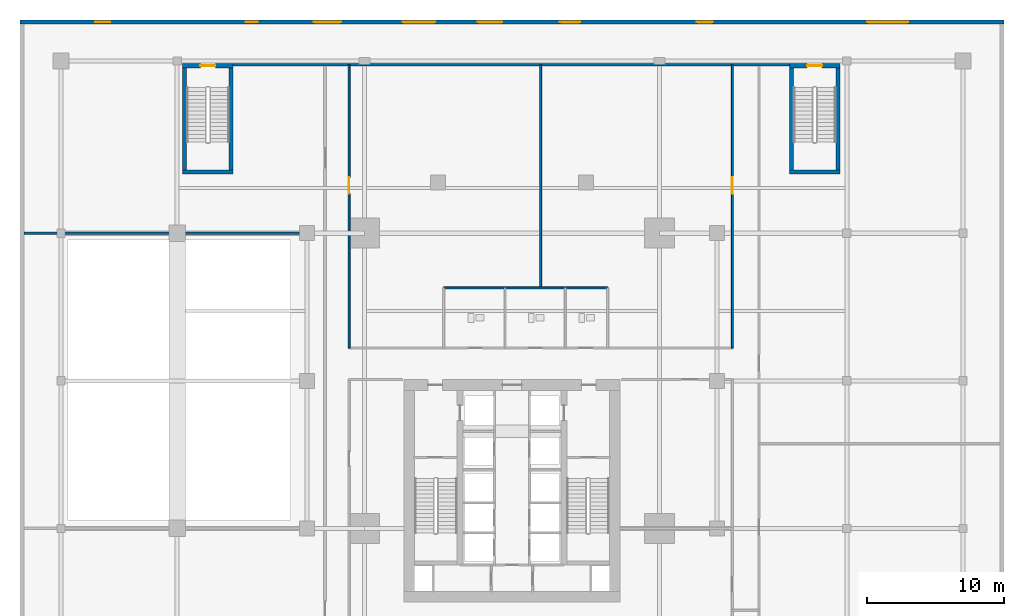
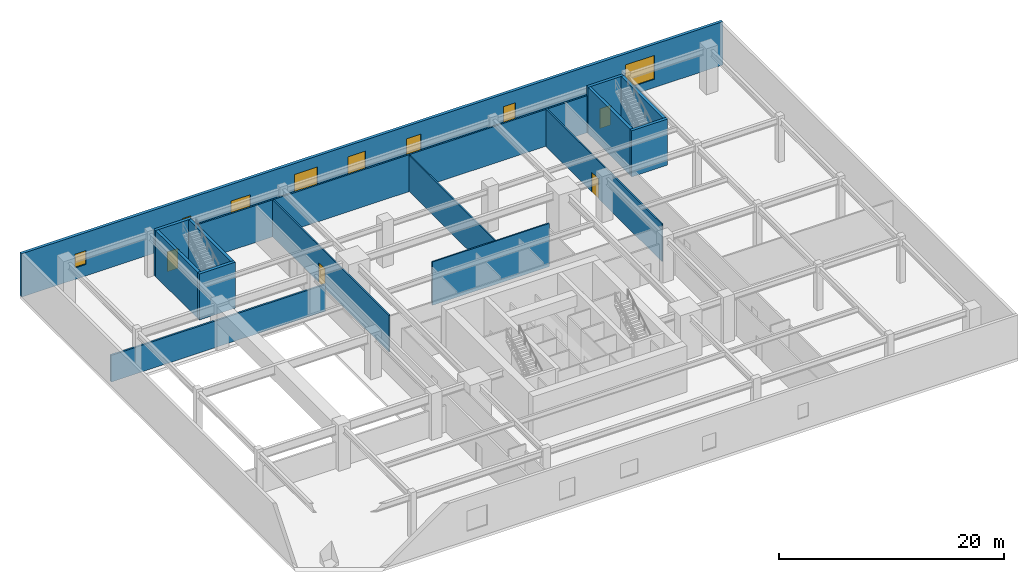
# One storey, part 5 of 9: 15 walls, 8 windows, 4 doors, 12 openings.
"""IFC4 building model written with IfcOpenShell, lengths in metres."""

from ifc_helpers import new_model, si_unit, direction, frame, frame_2d, origin, place, context, subcontext, project, spatial, rectangle, extrude, material, layer, layer_set, type_object, element, fill, save


model = new_model("IFC4")

# Units and contexts
model_context = context("Model", 3, precision=1e-05, world=origin(), true_north=direction((0.0, 1.0)))
body_context = subcontext(model_context, "Body", "Model", "MODEL_VIEW")
ifc_project = project(units=[si_unit("LENGTHUNIT", "METRE"), si_unit("AREAUNIT", "SQUARE_METRE"), si_unit("VOLUMEUNIT", "CUBIC_METRE"), si_unit("PLANEANGLEUNIT", "RADIAN"), si_unit("MASSUNIT", "GRAM", prefix="KILO")], contexts=[model_context])

# Site, building, storey
site_placement = place(None, origin())
site = spatial("IfcSite", under=ifc_project, at=site_placement, CompositionType="ELEMENT")
building_placement = place(site_placement, origin())
building = spatial("IfcBuilding", under=site, at=building_placement, Name="Krantzveldt Concourse Tower", CompositionType="ELEMENT")
storey_placement = place(building_placement, frame((0.0, 0.0, 10.39990234375)))
storey = spatial("IfcBuildingStorey", under=building, at=storey_placement, Name="L02", CompositionType="ELEMENT", Elevation=10.39990234375)

# Wall, openings, windows
ifc_material_1 = material(Name="Concrete C40/50", Category="concrete")
ifc_layer_1 = layer(ifc_material_1, 0.300048828125, Name="Concrete C40/50", Category="concrete")
ifc_layer_set_1 = layer_set([ifc_layer_1], Name="Concrete C40/50 (WL-EXT-GRAN300)")
wall_type_1 = type_object("IfcWallType", Name="WL-EXT-GRAN300", PredefinedType="SOLIDWALL", material=ifc_layer_set_1)
wall_1_placement = place(storey_placement, frame((0.0, 52.949951171875, 0.0), z_axis=(0.0, 0.0, 1.0), x_axis=(1.0, 0.0, 0.0)))
wall_1 = element("IfcWall", 1, at=wall_1_placement, inside=storey, type_object=wall_type_1, Name="EW-L02-N", PredefinedType="SOLIDWALL", context=body_context, shape_type="SweptSolid", body=[
    extrude(rectangle(XDim=72.0, YDim=0.300048828125, at=frame_2d((36.0, 0.0))), origin(), (0.0, 0.0, 1.0), 4.7001953125),
])
opening_1_placement = place(wall_1_placement, frame((5.5, 0.0, 1.25)))
opening_1 = element("IfcOpeningElement", 2, at=opening_1_placement, cuts=wall_1, Name="Opening W-POD-1100x1500", PredefinedType="OPENING", context=body_context, shape_type="SweptSolid", body=[
    extrude(rectangle(XDim=1.10009765625, YDim=1.5, at=frame_2d((0.550048828125, 0.75))), frame((0.0, 0.16015625, 0.0), z_axis=(0.0, -1.0, 0.0), x_axis=(1.0, 0.0, 0.0)), (0.0, 0.0, 1.0), 0.320068359375),
])
opening_2_placement = place(wall_1_placement, frame((16.5, 0.0, 1.25)))
opening_2 = element("IfcOpeningElement", 3, at=opening_2_placement, cuts=wall_1, Name="Opening W-POD-0900x1500", PredefinedType="OPENING", context=body_context, shape_type="SweptSolid", body=[
    extrude(rectangle(XDim=0.89990234375, YDim=1.5, at=frame_2d((0.449951171875, 0.75))), frame((0.0, 0.16015625, 0.0), z_axis=(0.0, -1.0, 0.0), x_axis=(1.0, 0.0, 0.0)), (0.0, 0.0, 1.0), 0.320068359375),
])
opening_3_placement = place(wall_1_placement, frame((21.5, 0.0, 1.10009765625)))
opening_3 = element("IfcOpeningElement", 4, at=opening_3_placement, cuts=wall_1, Name="Opening W-POD-2000x1800", PredefinedType="OPENING", context=body_context, shape_type="SweptSolid", body=[
    extrude(rectangle(XDim=2.0, YDim=1.800048828125, at=frame_2d((1.0, 0.89990234375))), frame((0.0, 0.16015625, 0.0), z_axis=(0.0, -1.0, 0.0), x_axis=(1.0, 0.0, 0.0)), (0.0, 0.0, 1.0), 0.320068359375),
])
opening_4_placement = place(wall_1_placement, frame((28.0, 0.0, 0.89990234375)))
opening_4 = element("IfcOpeningElement", 5, at=opening_4_placement, cuts=wall_1, Name="Opening W-POD-2400x2600", PredefinedType="OPENING", context=body_context, shape_type="SweptSolid", body=[
    extrude(rectangle(XDim=2.39990234375, YDim=2.60009765625, at=frame_2d((1.199951171875, 1.300048828125))), frame((0.0, 0.16015625, 0.0), z_axis=(0.0, -1.0, 0.0), x_axis=(1.0, 0.0, 0.0)), (0.0, 0.0, 1.0), 0.320068359375),
])
opening_5_placement = place(wall_1_placement, frame((33.5, 0.0, 0.89990234375)))
opening_5 = element("IfcOpeningElement", 6, at=opening_5_placement, cuts=wall_1, Name="Opening W-POD-1800x2600", PredefinedType="OPENING", context=body_context, shape_type="SweptSolid", body=[
    extrude(rectangle(XDim=1.800048828125, YDim=2.60009765625, at=frame_2d((0.89990234375, 1.300048828125))), frame((0.0, 0.16015625, 0.0), z_axis=(0.0, -1.0, 0.0), x_axis=(1.0, 0.0, 0.0)), (0.0, 0.0, 1.0), 0.320068359375),
])
opening_6_placement = place(wall_1_placement, frame((39.5, 0.0, 0.949951171875)))
opening_6 = element("IfcOpeningElement", 7, at=opening_6_placement, cuts=wall_1, Name="Opening W-POD-1500x2400", PredefinedType="OPENING", context=body_context, shape_type="SweptSolid", body=[
    extrude(rectangle(XDim=1.5, YDim=2.39990234375, at=frame_2d((0.75, 1.199951171875))), frame((0.0, 0.16015625, 0.0), z_axis=(0.0, -1.0, 0.0), x_axis=(1.0, 0.0, 0.0)), (0.0, 0.0, 1.0), 0.320068359375),
])
opening_7_placement = place(wall_1_placement, frame((49.5, 0.0, 0.949951171875)))
opening_7 = element("IfcOpeningElement", 8, at=opening_7_placement, cuts=wall_1, Name="Opening W-POD-1200x2400", PredefinedType="OPENING", context=body_context, shape_type="SweptSolid", body=[
    extrude(rectangle(XDim=1.199951171875, YDim=2.39990234375, at=frame_2d((0.60009765625, 1.199951171875))), frame((0.0, 0.16015625, 0.0), z_axis=(0.0, -1.0, 0.0), x_axis=(1.0, 0.0, 0.0)), (0.0, 0.0, 1.0), 0.320068359375),
])
opening_8_placement = place(wall_1_placement, frame((62.0, 0.0, 0.89990234375)))
opening_8 = element("IfcOpeningElement", 9, at=opening_8_placement, cuts=wall_1, Name="Opening W-POD-3000x2600", PredefinedType="OPENING", context=body_context, shape_type="SweptSolid", body=[
    extrude(rectangle(XDim=3.0, YDim=2.60009765625, at=frame_2d((1.5, 1.300048828125))), frame((0.0, 0.16015625, 0.0), z_axis=(0.0, -1.0, 0.0), x_axis=(1.0, 0.0, 0.0)), (0.0, 0.0, 1.0), 0.320068359375),
])
ifc_material_2 = material(Name="Bronze-tinted laminated low-E IGU glass", Category="glass")
window_type_1 = type_object("IfcWindowType", Name="WN-POD-0900x1500", PartitioningType="SINGLE_PANEL", PredefinedType="WINDOW", material=ifc_material_2)
window_1_placement = place(opening_2_placement, origin())
window_1 = element("IfcWindow", 10, at=window_1_placement, inside=storey, type_object=window_type_1, Name="WN-L02-N02", OverallHeight=1.5, OverallWidth=0.89990234375, PartitioningType="SINGLE_PANEL", PredefinedType="WINDOW", context=body_context, shape_type="SweptSolid", body=[
    extrude(rectangle(XDim=0.89990234375, YDim=1.5, at=frame_2d((0.449951171875, 0.75))), frame((0.0, 0.030029296875, 0.0), z_axis=(0.0, -1.0, 0.0), x_axis=(1.0, 0.0, 0.0)), (0.0, 0.0, 1.0), 0.06005859375),
])
fill(opening_2, window_1)
window_type_2 = type_object("IfcWindowType", Name="WN-POD-1100x1500", PartitioningType="SINGLE_PANEL", PredefinedType="WINDOW", material=ifc_material_2)
window_2_placement = place(opening_1_placement, origin())
window_2 = element("IfcWindow", 11, at=window_2_placement, inside=storey, type_object=window_type_2, Name="WN-L02-N01", OverallHeight=1.5, OverallWidth=1.10009765625, PartitioningType="SINGLE_PANEL", PredefinedType="WINDOW", context=body_context, shape_type="SweptSolid", body=[
    extrude(rectangle(XDim=1.10009765625, YDim=1.5, at=frame_2d((0.550048828125, 0.75))), frame((0.0, 0.030029296875, 0.0), z_axis=(0.0, -1.0, 0.0), x_axis=(1.0, 0.0, 0.0)), (0.0, 0.0, 1.0), 0.06005859375),
])
fill(opening_1, window_2)
window_type_3 = type_object("IfcWindowType", Name="WN-POD-1200x2400", PartitioningType="SINGLE_PANEL", PredefinedType="WINDOW", material=ifc_material_2)
window_3_placement = place(opening_7_placement, origin())
window_3 = element("IfcWindow", 12, at=window_3_placement, inside=storey, type_object=window_type_3, Name="WN-L02-N07", OverallHeight=2.39990234375, OverallWidth=1.199951171875, PartitioningType="SINGLE_PANEL", PredefinedType="WINDOW", context=body_context, shape_type="SweptSolid", body=[
    extrude(rectangle(XDim=1.199951171875, YDim=2.39990234375, at=frame_2d((0.60009765625, 1.199951171875))), frame((0.0, 0.030029296875, 0.0), z_axis=(0.0, -1.0, 0.0), x_axis=(1.0, 0.0, 0.0)), (0.0, 0.0, 1.0), 0.06005859375),
])
fill(opening_7, window_3)
window_type_4 = type_object("IfcWindowType", Name="WN-POD-1500x2400", PartitioningType="SINGLE_PANEL", PredefinedType="WINDOW", material=ifc_material_2)
window_4_placement = place(opening_6_placement, origin())
window_4 = element("IfcWindow", 13, at=window_4_placement, inside=storey, type_object=window_type_4, Name="WN-L02-N06", OverallHeight=2.39990234375, OverallWidth=1.5, PartitioningType="SINGLE_PANEL", PredefinedType="WINDOW", context=body_context, shape_type="SweptSolid", body=[
    extrude(rectangle(XDim=1.5, YDim=2.39990234375, at=frame_2d((0.75, 1.199951171875))), frame((0.0, 0.030029296875, 0.0), z_axis=(0.0, -1.0, 0.0), x_axis=(1.0, 0.0, 0.0)), (0.0, 0.0, 1.0), 0.06005859375),
])
fill(opening_6, window_4)
window_type_5 = type_object("IfcWindowType", Name="WN-POD-1800x2600", PartitioningType="SINGLE_PANEL", PredefinedType="WINDOW", material=ifc_material_2)
window_5_placement = place(opening_5_placement, origin())
window_5 = element("IfcWindow", 14, at=window_5_placement, inside=storey, type_object=window_type_5, Name="WN-L02-N05", OverallHeight=2.60009765625, OverallWidth=1.800048828125, PartitioningType="SINGLE_PANEL", PredefinedType="WINDOW", context=body_context, shape_type="SweptSolid", body=[
    extrude(rectangle(XDim=1.800048828125, YDim=2.60009765625, at=frame_2d((0.89990234375, 1.300048828125))), frame((0.0, 0.030029296875, 0.0), z_axis=(0.0, -1.0, 0.0), x_axis=(1.0, 0.0, 0.0)), (0.0, 0.0, 1.0), 0.06005859375),
])
fill(opening_5, window_5)
window_type_6 = type_object("IfcWindowType", Name="WN-POD-2000x1800", PartitioningType="SINGLE_PANEL", PredefinedType="WINDOW", material=ifc_material_2)
window_6_placement = place(opening_3_placement, origin())
window_6 = element("IfcWindow", 15, at=window_6_placement, inside=storey, type_object=window_type_6, Name="WN-L02-N03", OverallHeight=1.800048828125, OverallWidth=2.0, PartitioningType="SINGLE_PANEL", PredefinedType="WINDOW", context=body_context, shape_type="SweptSolid", body=[
    extrude(rectangle(XDim=2.0, YDim=1.800048828125, at=frame_2d((1.0, 0.89990234375))), frame((0.0, 0.030029296875, 0.0), z_axis=(0.0, -1.0, 0.0), x_axis=(1.0, 0.0, 0.0)), (0.0, 0.0, 1.0), 0.06005859375),
])
fill(opening_3, window_6)
window_type_7 = type_object("IfcWindowType", Name="WN-POD-2400x2600", PartitioningType="SINGLE_PANEL", PredefinedType="WINDOW", material=ifc_material_2)
window_7_placement = place(opening_4_placement, origin())
window_7 = element("IfcWindow", 16, at=window_7_placement, inside=storey, type_object=window_type_7, Name="WN-L02-N04", OverallHeight=2.60009765625, OverallWidth=2.39990234375, PartitioningType="SINGLE_PANEL", PredefinedType="WINDOW", context=body_context, shape_type="SweptSolid", body=[
    extrude(rectangle(XDim=2.39990234375, YDim=2.60009765625, at=frame_2d((1.199951171875, 1.300048828125))), frame((0.0, 0.030029296875, 0.0), z_axis=(0.0, -1.0, 0.0), x_axis=(1.0, 0.0, 0.0)), (0.0, 0.0, 1.0), 0.06005859375),
])
fill(opening_4, window_7)
window_type_8 = type_object("IfcWindowType", Name="WN-POD-3000x2600", PartitioningType="SINGLE_PANEL", PredefinedType="WINDOW", material=ifc_material_2)
window_8_placement = place(opening_8_placement, origin())
window_8 = element("IfcWindow", 17, at=window_8_placement, inside=storey, type_object=window_type_8, Name="WN-L02-N08", OverallHeight=2.60009765625, OverallWidth=3.0, PartitioningType="SINGLE_PANEL", PredefinedType="WINDOW", context=body_context, shape_type="SweptSolid", body=[
    extrude(rectangle(XDim=3.0, YDim=2.60009765625, at=frame_2d((1.5, 1.300048828125))), frame((0.0, 0.030029296875, 0.0), z_axis=(0.0, -1.0, 0.0), x_axis=(1.0, 0.0, 0.0)), (0.0, 0.0, 1.0), 0.06005859375),
])
fill(opening_8, window_8)

# Wall, opening, door
ifc_material_3 = material(Name="Fire-rated gypsum plasterboard on steel stud", Category="steel")
ifc_layer_2 = layer(ifc_material_3, 0.139892578125, Name="Fire-rated gypsum plasterboard on steel stud", Category="steel")
ifc_layer_set_2 = layer_set([ifc_layer_2], Name="Fire-rated gypsum plasterboard on steel stud (WL-PART-140)")
wall_type_2 = type_object("IfcWallType", Name="WL-PART-140", PredefinedType="PARTITIONING", material=ifc_layer_set_2)
wall_2_placement = place(storey_placement, frame((24.080078125, 29.10009765625, 0.0), z_axis=(0.0, 0.0, 1.0), x_axis=(0.0, 1.0, 0.0)))
wall_2 = element("IfcWall", 18, at=wall_2_placement, inside=storey, type_object=wall_type_2, Name="WP-L02-CWL2", PredefinedType="PARTITIONING", context=body_context, shape_type="SweptSolid", body=[
    extrude(rectangle(XDim=20.719970703125, YDim=0.139892578125, at=frame_2d((10.35986328125, 0.0))), origin(), (0.0, 0.0, 1.0), 4.0),
])
opening_9_placement = place(wall_2_placement, frame((11.300048828125, 0.0, 0.0)))
opening_9 = element("IfcOpeningElement", 19, at=opening_9_placement, cuts=wall_2, Name="Opening D-DB120", PredefinedType="OPENING", context=body_context, shape_type="SweptSolid", body=[
    extrude(rectangle(XDim=1.199951171875, YDim=2.14990234375, at=frame_2d((0.60009765625, 1.074951171875))), frame((0.0, 0.080078125, 0.0), z_axis=(0.0, -1.0, 0.0), x_axis=(1.0, 0.0, 0.0)), (0.0, 0.0, 1.0), 0.159912109375),
])
ifc_material_4 = material(Name="Anodised aluminium 6063-T6", Category="aluminium")
door_type_1 = type_object("IfcDoorType", Name="DR-DBL-1200", OperationType="SINGLE_SWING_LEFT", PredefinedType="DOOR", material=ifc_material_4)
door_1_placement = place(opening_9_placement, origin())
door_1 = element("IfcDoor", 20, at=door_1_placement, inside=storey, type_object=door_type_1, Name="DR-L02-EXH1", OperationType="SINGLE_SWING_RIGHT", OverallHeight=2.14990234375, OverallWidth=1.199951171875, PredefinedType="DOOR", context=body_context, shape_type="SweptSolid", body=[
    extrude(rectangle(XDim=1.199951171875, YDim=2.14990234375, at=frame_2d((0.60009765625, 1.074951171875))), frame((0.0, 0.02490234375, 0.0), z_axis=(0.0, -1.0, 0.0), x_axis=(1.0, 0.0, 0.0)), (0.0, 0.0, 1.0), 0.050048828125),
])
fill(opening_9, door_1)

wall_3_placement = place(storey_placement, frame((52.1201171875, 29.10009765625, 0.0), z_axis=(0.0, 0.0, 1.0), x_axis=(0.0, 1.0, 0.0)))
wall_3 = element("IfcWall", 21, at=wall_3_placement, inside=storey, type_object=wall_type_2, Name="WP-L02-CEL1", PredefinedType="PARTITIONING", context=body_context, shape_type="SweptSolid", body=[
    extrude(rectangle(XDim=20.719970703125, YDim=0.139892578125, at=frame_2d((10.35986328125, 0.0))), origin(), (0.0, 0.0, 1.0), 4.06005859375),
])
opening_10_placement = place(wall_3_placement, frame((11.300048828125, 0.0, 0.0)))
opening_10 = element("IfcOpeningElement", 22, at=opening_10_placement, cuts=wall_3, Name="Opening D-DB120", PredefinedType="OPENING", context=body_context, shape_type="SweptSolid", body=[
    extrude(rectangle(XDim=1.199951171875, YDim=2.14990234375, at=frame_2d((0.60009765625, 1.074951171875))), frame((0.0, 0.080078125, 0.0), z_axis=(0.0, -1.0, 0.0), x_axis=(1.0, 0.0, 0.0)), (0.0, 0.0, 1.0), 0.159912109375),
])
door_2_placement = place(opening_10_placement, origin())
door_2 = element("IfcDoor", 23, at=door_2_placement, inside=storey, type_object=door_type_1, Name="DR-L02-EXH2", OperationType="SINGLE_SWING_LEFT", OverallHeight=2.14990234375, OverallWidth=1.199951171875, PredefinedType="DOOR", context=body_context, shape_type="SweptSolid", body=[
    extrude(rectangle(XDim=1.199951171875, YDim=2.14990234375, at=frame_2d((0.60009765625, 1.074951171875))), frame((0.0, 0.02490234375, 0.0), z_axis=(0.0, -1.0, 0.0), x_axis=(1.0, 0.0, 0.0)), (0.0, 0.0, 1.0), 0.050048828125),
])
fill(opening_10, door_2)

# Walls
wall_4_placement = place(storey_placement, frame((31.0, 33.5, 0.0), z_axis=(0.0, 0.0, 1.0), x_axis=(1.0, 0.0, 0.0)))
element("IfcWall", 24, at=wall_4_placement, inside=storey, type_object=wall_type_2, Name="WP-L02-WCN", PredefinedType="PARTITIONING", context=body_context, shape_type="SweptSolid", body=[
    extrude(rectangle(XDim=12.0, YDim=0.139892578125, at=frame_2d((6.0, 0.0))), origin(), (0.0, 0.0, 1.0), 4.7001953125),
])
wall_5_placement = place(storey_placement, frame((38.10009765625, 33.5, 0.0), z_axis=(0.0, 0.0, 1.0), x_axis=(0.0, 1.0, 0.0)))
element("IfcWall", 25, at=wall_5_placement, inside=storey, type_object=wall_type_2, Name="WP-L02-EXM", PredefinedType="PARTITIONING", context=body_context, shape_type="SweptSolid", body=[
    extrude(rectangle(XDim=16.320068359375, YDim=0.139892578125, at=frame_2d((8.16015625, 0.0))), origin(), (0.0, 0.0, 1.0), 3.900146484375),
])
ifc_layer_3 = layer(ifc_material_3, 0.159912109375, Name="Fire-rated gypsum plasterboard on steel stud", Category="steel")
ifc_layer_set_3 = layer_set([ifc_layer_3], Name="Fire-rated gypsum plasterboard on steel stud (WL-PART-FR160)")
wall_type_3 = type_object("IfcWallType", Name="WL-PART-FR160", PredefinedType="PARTITIONING", material=ifc_layer_set_3)
wall_6_placement = place(storey_placement, frame((15.60009765625, 49.820068359375, 0.0), z_axis=(0.0, 0.0, 1.0), x_axis=(1.0, 0.0, 0.0)))
element("IfcWall", 26, at=wall_6_placement, inside=storey, type_object=wall_type_3, Name="WP-L02-CNT", PredefinedType="PARTITIONING", context=body_context, shape_type="SweptSolid", body=[
    extrude(rectangle(XDim=40.699951171875, YDim=0.159912109375, at=frame_2d((20.35009765625, 0.0))), origin(), (0.0, 0.0, 1.0), 4.010009765625),
])
ifc_layer_4 = layer(ifc_material_3, 0.179931640625, Name="Fire-rated gypsum plasterboard on steel stud", Category="steel")
ifc_layer_set_4 = layer_set([ifc_layer_4], Name="Fire-rated gypsum plasterboard on steel stud (WL-PART-FR180)")
wall_type_4 = type_object("IfcWallType", Name="WL-PART-FR180", PredefinedType="PARTITIONING", material=ifc_layer_set_4)
wall_7_placement = place(storey_placement, frame((0.304931640625, 37.5, 0.0), z_axis=(0.0, 0.0, 1.0), x_axis=(1.0, 0.0, 0.0)))
element("IfcWall", 27, at=wall_7_placement, inside=storey, type_object=wall_type_4, Name="WP-L02-BAL", PredefinedType="PARTITIONING", context=body_context, shape_type="SweptSolid", body=[
    extrude(rectangle(XDim=22.01513671875, YDim=0.179931640625, at=frame_2d((11.007568359375, 0.0))), origin(), (0.0, 0.0, 1.0), 2.900146484375),
])
ifc_material_5 = material(Name="Concrete C50/60", Category="concrete")
ifc_layer_5 = layer(ifc_material_5, 0.300048828125, Name="Concrete C50/60", Category="concrete")
ifc_layer_set_5 = layer_set([ifc_layer_5], Name="Concrete C50/60 (WL-SHEAR-300)")
wall_type_5 = type_object("IfcWallType", Name="WL-SHEAR-300", PredefinedType="SHEAR", material=ifc_layer_set_5)
wall_8_placement = place(storey_placement, frame((11.89990234375, 41.969970703125, 0.0), z_axis=(0.0, 0.0, 1.0), x_axis=(1.0, 0.0, 0.0)))
element("IfcWall", 28, at=wall_8_placement, inside=storey, type_object=wall_type_5, Name="CW-L02-ST3-S", PredefinedType="SHEAR", context=body_context, shape_type="SweptSolid", body=[
    extrude(rectangle(XDim=3.7001953125, YDim=0.300048828125, at=frame_2d((1.85009765625, 0.0))), origin(), (0.0, 0.0, 1.0), 5.0),
])

# Wall, opening, door
wall_9_placement = place(storey_placement, frame((15.60009765625, 49.75, 0.0), z_axis=(0.0, 0.0, 1.0), x_axis=(-1.0, 0.0, 0.0)))
wall_9 = element("IfcWall", 29, at=wall_9_placement, inside=storey, type_object=wall_type_5, Name="CW-L02-ST3-N", PredefinedType="SHEAR", context=body_context, shape_type="SweptSolid", body=[
    extrude(rectangle(XDim=3.7001953125, YDim=0.300048828125, at=frame_2d((1.85009765625, 0.0))), origin(), (0.0, 0.0, 1.0), 5.0),
])
opening_11_placement = place(wall_9_placement, frame((1.300048828125, 0.0, 0.0)))
opening_11 = element("IfcOpeningElement", 30, at=opening_11_placement, cuts=wall_9, Name="Opening D-FD110", PredefinedType="OPENING", context=body_context, shape_type="SweptSolid", body=[
    extrude(rectangle(XDim=1.10009765625, YDim=2.14990234375, at=frame_2d((0.550048828125, 1.074951171875))), frame((0.0, 0.16015625, 0.0), z_axis=(0.0, -1.0, 0.0), x_axis=(1.0, 0.0, 0.0)), (0.0, 0.0, 1.0), 0.320068359375),
])
ifc_material_6 = material(Name="Galvanised steel", Category="steel")
door_type_2 = type_object("IfcDoorType", Name="DR-FD120-1100", OperationType="SINGLE_SWING_LEFT", PredefinedType="DOOR", material=ifc_material_6)
door_3_placement = place(opening_11_placement, origin())
door_3 = element("IfcDoor", 31, at=door_3_placement, inside=storey, type_object=door_type_2, Name="DR-L02-ST3", OperationType="SINGLE_SWING_LEFT", OverallHeight=2.14990234375, OverallWidth=1.10009765625, PredefinedType="DOOR", context=body_context, shape_type="SweptSolid", body=[
    extrude(rectangle(XDim=1.10009765625, YDim=2.14990234375, at=frame_2d((0.550048828125, 1.074951171875))), frame((0.0, 0.02490234375, 0.0), z_axis=(0.0, -1.0, 0.0), x_axis=(1.0, 0.0, 0.0)), (0.0, 0.0, 1.0), 0.050048828125),
])
fill(opening_11, door_3)

# Walls
for number, where, z_axis, x_axis, name in (
    (32, (12.050048828125, 42.1201171875, 0.0), (0.0, 0.0, 1.0), (0.0, 1.0, 0.0), "CW-L02-ST3-W"),
    (33, (15.449951171875, 42.1201171875, 0.0), (0.0, 0.0, 1.0), (0.0, 1.0, 0.0), "CW-L02-ST3-E"),
):
    element("IfcWall", number, at=place(storey_placement, frame(where, z_axis=z_axis, x_axis=x_axis)), inside=storey, type_object=wall_type_5, Name=name, PredefinedType="SHEAR", context=body_context, shape_type="SweptSolid", body=[
        extrude(rectangle(XDim=7.47998046875, YDim=0.300048828125, at=frame_2d((3.739990234375, 0.0))), origin(), (0.0, 0.0, 1.0), 5.0),
    ])
wall_10_placement = place(storey_placement, frame((56.300048828125, 41.969970703125, 0.0), z_axis=(0.0, 0.0, 1.0), x_axis=(1.0, 0.0, 0.0)))
element("IfcWall", 34, at=wall_10_placement, inside=storey, type_object=wall_type_5, Name="CW-L02-ST4-S", PredefinedType="SHEAR", context=body_context, shape_type="SweptSolid", body=[
    extrude(rectangle(XDim=3.699951171875, YDim=0.300048828125, at=frame_2d((1.85009765625, 0.0))), origin(), (0.0, 0.0, 1.0), 5.0),
])

# Wall, opening, door
wall_11_placement = place(storey_placement, frame((60.0, 49.75, 0.0), z_axis=(0.0, 0.0, 1.0), x_axis=(-1.0, 0.0, 0.0)))
wall_11 = element("IfcWall", 35, at=wall_11_placement, inside=storey, type_object=wall_type_5, Name="CW-L02-ST4-N", PredefinedType="SHEAR", context=body_context, shape_type="SweptSolid", body=[
    extrude(rectangle(XDim=3.699951171875, YDim=0.300048828125, at=frame_2d((1.85009765625, 0.0))), origin(), (0.0, 0.0, 1.0), 5.0),
])
opening_12_placement = place(wall_11_placement, frame((1.300048828125, 0.0, 0.0)))
opening_12 = element("IfcOpeningElement", 36, at=opening_12_placement, cuts=wall_11, Name="Opening D-FD110", PredefinedType="OPENING", context=body_context, shape_type="SweptSolid", body=[
    extrude(rectangle(XDim=1.10009765625, YDim=2.14990234375, at=frame_2d((0.550048828125, 1.074951171875))), frame((0.0, 0.16015625, 0.0), z_axis=(0.0, -1.0, 0.0), x_axis=(1.0, 0.0, 0.0)), (0.0, 0.0, 1.0), 0.320068359375),
])
door_4_placement = place(opening_12_placement, origin())
door_4 = element("IfcDoor", 37, at=door_4_placement, inside=storey, type_object=door_type_2, Name="DR-L02-ST4", OperationType="SINGLE_SWING_LEFT", OverallHeight=2.14990234375, OverallWidth=1.10009765625, PredefinedType="DOOR", context=body_context, shape_type="SweptSolid", body=[
    extrude(rectangle(XDim=1.10009765625, YDim=2.14990234375, at=frame_2d((0.550048828125, 1.074951171875))), frame((0.0, 0.02490234375, 0.0), z_axis=(0.0, -1.0, 0.0), x_axis=(1.0, 0.0, 0.0)), (0.0, 0.0, 1.0), 0.050048828125),
])
fill(opening_12, door_4)

# Walls
for number, where, z_axis, x_axis, name in (
    (38, (56.449951171875, 42.1201171875, 0.0), (0.0, 0.0, 1.0), (0.0, 1.0, 0.0), "CW-L02-ST4-W"),
    (39, (59.85009765625, 42.1201171875, 0.0), (0.0, 0.0, 1.0), (0.0, 1.0, 0.0), "CW-L02-ST4-E"),
):
    element("IfcWall", number, at=place(storey_placement, frame(where, z_axis=z_axis, x_axis=x_axis)), inside=storey, type_object=wall_type_5, Name=name, PredefinedType="SHEAR", context=body_context, shape_type="SweptSolid", body=[
        extrude(rectangle(XDim=7.47998046875, YDim=0.300048828125, at=frame_2d((3.739990234375, 0.0))), origin(), (0.0, 0.0, 1.0), 5.0),
    ])

save(model, "model.ifc")
